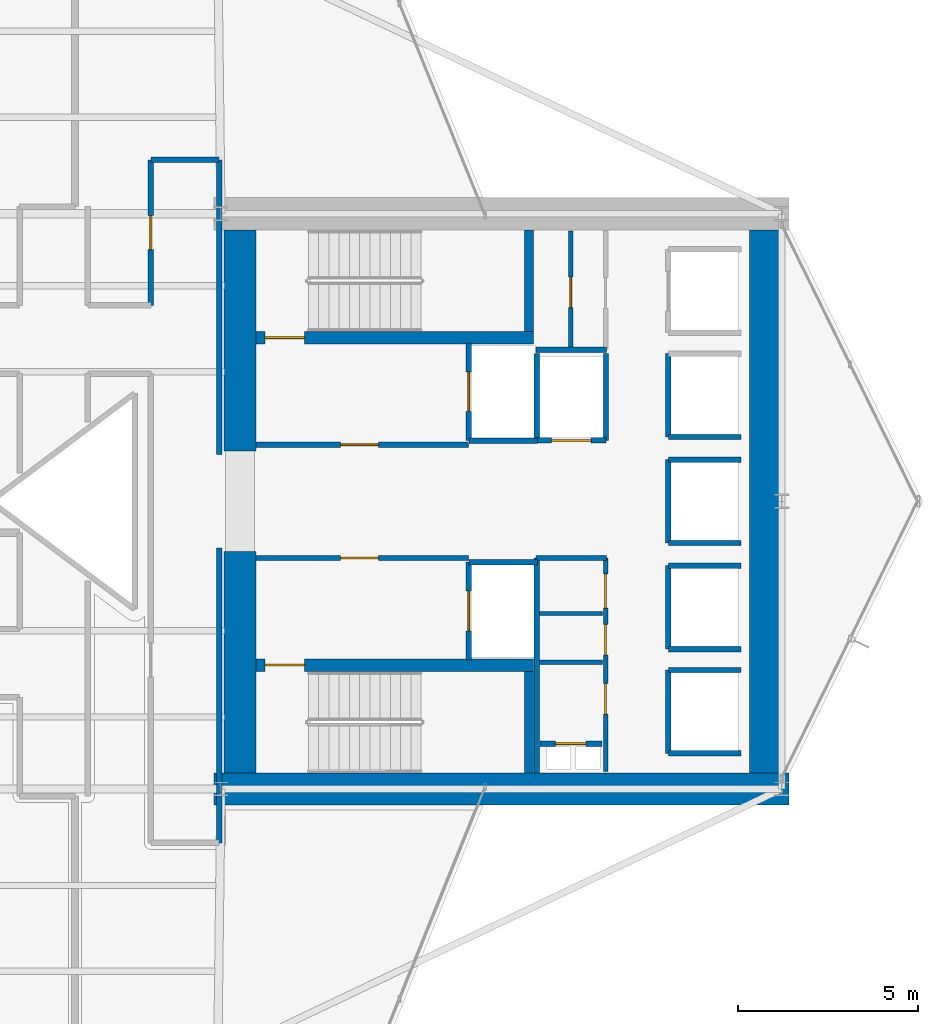
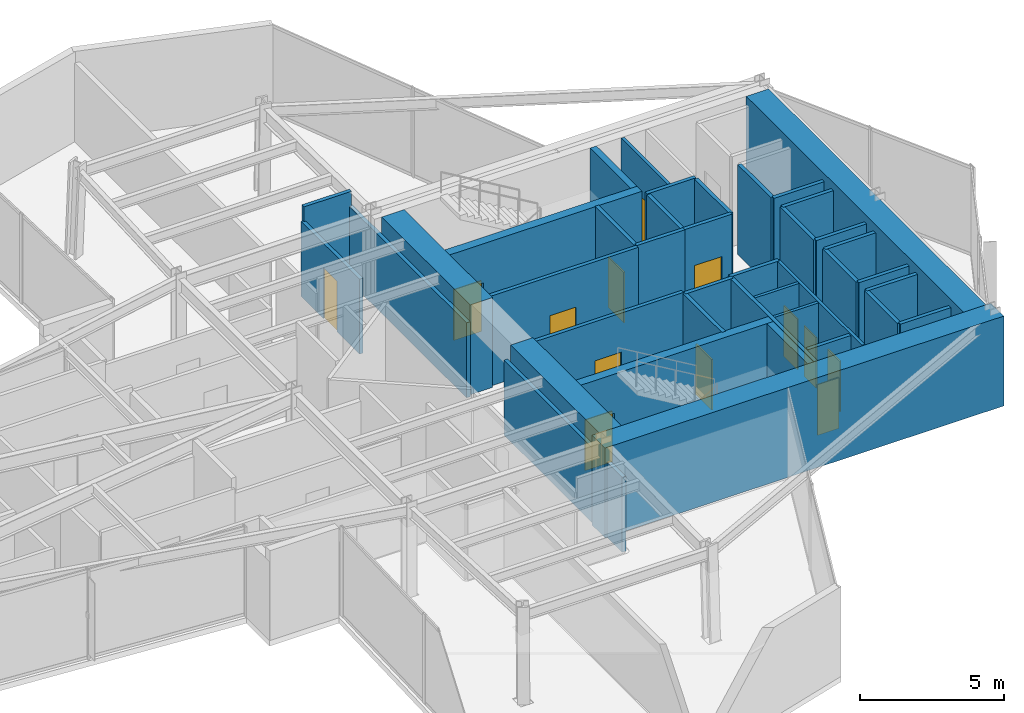
# One storey, part 28 of 31: 40 walls, 13 doors, 13 openings.
"""IFC4 building model written with IfcOpenShell, lengths in metres."""

from ifc_helpers import new_model, si_unit, direction, frame, frame_2d, origin, place, context, subcontext, project, spatial, rectangle, extrude, material, layer, layer_set, type_object, element, fill, save


model = new_model("IFC4")

# Units and contexts
model_context = context("Model", 3, precision=1e-05, world=origin(), true_north=direction((0.0, 1.0)))
body_context = subcontext(model_context, "Body", "Model", "MODEL_VIEW")
ifc_project = project(units=[si_unit("LENGTHUNIT", "METRE"), si_unit("AREAUNIT", "SQUARE_METRE"), si_unit("VOLUMEUNIT", "CUBIC_METRE"), si_unit("PLANEANGLEUNIT", "RADIAN"), si_unit("MASSUNIT", "GRAM", prefix="KILO")], contexts=[model_context])

# Site, building, storey
site_placement = place(None, origin())
site = spatial("IfcSite", under=ifc_project, at=site_placement, CompositionType="ELEMENT")
building_placement = place(site_placement, origin())
building = spatial("IfcBuilding", under=site, at=building_placement, Name="Veymaron Broadcast Tower", CompositionType="ELEMENT")
storey_placement = place(building_placement, frame((0.0, 0.0, 70.199951171875)))
storey = spatial("IfcBuildingStorey", under=building, at=storey_placement, Name="L15", CompositionType="ELEMENT", Elevation=70.199951171875)

# Wall, opening, door
ifc_material_1 = material(Name="Gypsum fireboard and steel stud framing", Category="steel")
ifc_layer_1 = layer(ifc_material_1, 0.14990234375)
ifc_layer_set_1 = layer_set([ifc_layer_1], Name="Gypsum fireboard and steel stud framing")
wall_type_1 = type_object("IfcWallType", Name="WALL-FIRE-150", PredefinedType="PARTITIONING", material=ifc_layer_set_1)
wall_1_placement = place(storey_placement, frame((39.97998046875, 25.574951171875, 0.0), z_axis=(0.0, 0.0, 1.0), x_axis=(1.0, 0.0, 0.0)))
wall_1 = element("IfcWall", 1, at=wall_1_placement, inside=storey, type_object=wall_type_1, Name="L15 partition IW-L15-FFLN-S", PredefinedType="PARTITIONING", context=body_context, shape_type="SweptSolid", body=[
    extrude(rectangle(XDim=5.89990234375, YDim=0.14990234375, at=frame_2d((2.949951171875, 0.0))), origin(), (0.0, 0.0, 1.0), 3.81005859375),
])
opening_1_placement = place(wall_1_placement, frame((2.35009765625, 0.0, 0.0)))
opening_1 = element("IfcOpeningElement", 2, at=opening_1_placement, cuts=wall_1, Name="Opening ID-FL1", PredefinedType="OPENING", context=body_context, shape_type="SweptSolid", body=[
    extrude(rectangle(XDim=1.050048828125, YDim=2.14990234375, at=frame_2d((0.52490234375, 1.074951171875))), frame((0.0, 0.0849609375, 0.0), z_axis=(0.0, -1.0, 0.0), x_axis=(1.0, 0.0, 0.0)), (0.0, 0.0, 1.0), 0.169921875),
])
ifc_material_2 = material(Name="Fire-rated painted hollow steel ASTM A653", Category="steel")
door_type_1 = type_object("IfcDoorType", Name="DOOR-FIRE-1050", OperationType="NOTDEFINED", PredefinedType="DOOR", material=ifc_material_2)
door_1_placement = place(opening_1_placement, origin())
door_1 = element("IfcDoor", 3, at=door_1_placement, inside=storey, type_object=door_type_1, Name="L15 door DR-L15-FFLN", OperationType="SINGLE_SWING_LEFT", OverallHeight=2.14990234375, OverallWidth=1.050048828125, PredefinedType="DOOR", context=body_context, shape_type="SweptSolid", body=[
    extrude(rectangle(XDim=1.050048828125, YDim=2.14990234375, at=frame_2d((0.52490234375, 1.074951171875))), frame((0.0, 0.02490234375, 0.0), z_axis=(0.0, -1.0, 0.0), x_axis=(1.0, 0.0, 0.0)), (0.0, 0.0, 1.0), 0.050048828125),
])
fill(opening_1, door_1)

wall_2_placement = place(storey_placement, frame((39.97998046875, 22.425048828125, 0.0), z_axis=(0.0, 0.0, 1.0), x_axis=(1.0, 0.0, 0.0)))
wall_2 = element("IfcWall", 4, at=wall_2_placement, inside=storey, type_object=wall_type_1, Name="L15 partition IW-L15-FFLS-N", PredefinedType="PARTITIONING", context=body_context, shape_type="SweptSolid", body=[
    extrude(rectangle(XDim=5.89990234375, YDim=0.14990234375, at=frame_2d((2.949951171875, 0.0))), origin(), (0.0, 0.0, 1.0), 3.81005859375),
])
opening_2_placement = place(wall_2_placement, frame((2.35009765625, 0.0, 0.0)))
opening_2 = element("IfcOpeningElement", 5, at=opening_2_placement, cuts=wall_2, Name="Opening ID-FL1", PredefinedType="OPENING", context=body_context, shape_type="SweptSolid", body=[
    extrude(rectangle(XDim=1.050048828125, YDim=2.14990234375, at=frame_2d((0.52490234375, 1.074951171875))), frame((0.0, 0.0849609375, 0.0), z_axis=(0.0, -1.0, 0.0), x_axis=(1.0, 0.0, 0.0)), (0.0, 0.0, 1.0), 0.169921875),
])
door_2_placement = place(opening_2_placement, frame((1.050048828125, 0.0, 0.0), z_axis=(0.0, 0.0, 1.0), x_axis=(-1.0, 0.0, 0.0)))
door_2 = element("IfcDoor", 6, at=door_2_placement, inside=storey, type_object=door_type_1, Name="L15 door DR-L15-FFLS", OperationType="SINGLE_SWING_RIGHT", OverallHeight=2.14990234375, OverallWidth=1.050048828125, PredefinedType="DOOR", context=body_context, shape_type="SweptSolid", body=[
    extrude(rectangle(XDim=1.050048828125, YDim=2.14990234375, at=frame_2d((0.52490234375, 1.074951171875))), frame((0.0, 0.02490234375, 0.0), z_axis=(0.0, -1.0, 0.0), x_axis=(1.0, 0.0, 0.0)), (0.0, 0.0, 1.0), 0.050048828125),
])
fill(opening_2, door_2)

wall_3_placement = place(storey_placement, frame((45.89501953125, 25.68994140625, 0.0), z_axis=(0.0, 0.0, 1.0), x_axis=(0.0, 1.0, 0.0)))
wall_3 = element("IfcWall", 7, at=wall_3_placement, inside=storey, type_object=wall_type_1, Name="L15 partition IW-L15-SHW-FFL-1", PredefinedType="PARTITIONING", context=body_context, shape_type="SweptSolid", body=[
    extrude(rectangle(XDim=2.719970703125, YDim=0.14990234375, at=frame_2d((1.35986328125, 0.0))), origin(), (0.0, 0.0, 1.0), 3.81005859375),
])
opening_3_placement = place(wall_3_placement, frame((0.81005859375, 0.0, 0.0)))
opening_3 = element("IfcOpeningElement", 8, at=opening_3_placement, cuts=wall_3, Name="Opening LD", PredefinedType="OPENING", context=body_context, shape_type="SweptSolid", body=[
    extrude(rectangle(XDim=1.10009765625, YDim=2.14990234375, at=frame_2d((0.550048828125, 1.074951171875))), frame((0.0, 0.0849609375, 0.0), z_axis=(0.0, -1.0, 0.0), x_axis=(1.0, 0.0, 0.0)), (0.0, 0.0, 1.0), 0.169921875),
])
ifc_material_3 = material(Name="Brushed stainless steel AISI 304", Category="steel")
door_type_2 = type_object("IfcDoorType", Name="DOOR-LIFT-1100", OperationType="DOUBLE_DOOR_SLIDING", PredefinedType="DOOR", material=ifc_material_3)
door_3_placement = place(opening_3_placement, frame((1.10009765625, 0.0, 0.0), z_axis=(0.0, 0.0, 1.0), x_axis=(-1.0, 0.0, 0.0)))
door_3 = element("IfcDoor", 9, at=door_3_placement, inside=storey, type_object=door_type_2, Name="L15 door LD-L15-FFL-1", OperationType="DOUBLE_DOOR_SLIDING", OverallHeight=2.14990234375, OverallWidth=1.10009765625, PredefinedType="DOOR", context=body_context, shape_type="SweptSolid", body=[
    extrude(rectangle(XDim=1.10009765625, YDim=2.14990234375, at=frame_2d((0.550048828125, 1.074951171875))), frame((0.0, 0.02490234375, 0.0), z_axis=(0.0, -1.0, 0.0), x_axis=(1.0, 0.0, 0.0)), (0.0, 0.0, 1.0), 0.050048828125),
])
fill(opening_3, door_3)

# Wall
wall_4_placement = place(storey_placement, frame((45.89501953125, 25.68994140625, 0.0), z_axis=(0.0, 0.0, 1.0), x_axis=(1.0, 0.0, 0.0)))
element("IfcWall", 10, at=wall_4_placement, inside=storey, type_object=wall_type_1, Name="L15 partition IW-L15-SHS-FFL-1", PredefinedType="PARTITIONING", context=body_context, shape_type="SweptSolid", body=[
    extrude(rectangle(XDim=1.9150390625, YDim=0.14990234375, at=frame_2d((0.95751953125, 0.0))), origin(), (0.0, 0.0, 1.0), 3.81005859375),
])

# Wall, opening, door
wall_5_placement = place(storey_placement, frame((45.89501953125, 19.590087890625, 0.0), z_axis=(0.0, 0.0, 1.0), x_axis=(0.0, 1.0, 0.0)))
wall_5 = element("IfcWall", 11, at=wall_5_placement, inside=storey, type_object=wall_type_1, Name="L15 partition IW-L15-SHW-FFL-2", PredefinedType="PARTITIONING", context=body_context, shape_type="SweptSolid", body=[
    extrude(rectangle(XDim=2.719970703125, YDim=0.14990234375, at=frame_2d((1.35986328125, 0.0))), origin(), (0.0, 0.0, 1.0), 3.81005859375),
])
opening_4_placement = place(wall_5_placement, frame((0.81005859375, 0.0, 0.0)))
opening_4 = element("IfcOpeningElement", 12, at=opening_4_placement, cuts=wall_5, Name="Opening LD", PredefinedType="OPENING", context=body_context, shape_type="SweptSolid", body=[
    extrude(rectangle(XDim=1.10009765625, YDim=2.14990234375, at=frame_2d((0.550048828125, 1.074951171875))), frame((0.0, 0.0849609375, 0.0), z_axis=(0.0, -1.0, 0.0), x_axis=(1.0, 0.0, 0.0)), (0.0, 0.0, 1.0), 0.169921875),
])
door_4_placement = place(opening_4_placement, frame((1.10009765625, 0.0, 0.0), z_axis=(0.0, 0.0, 1.0), x_axis=(-1.0, 0.0, 0.0)))
door_4 = element("IfcDoor", 13, at=door_4_placement, inside=storey, type_object=door_type_2, Name="L15 door LD-L15-FFL-2", OperationType="DOUBLE_DOOR_SLIDING", OverallHeight=2.14990234375, OverallWidth=1.10009765625, PredefinedType="DOOR", context=body_context, shape_type="SweptSolid", body=[
    extrude(rectangle(XDim=1.10009765625, YDim=2.14990234375, at=frame_2d((0.550048828125, 1.074951171875))), frame((0.0, 0.02490234375, 0.0), z_axis=(0.0, -1.0, 0.0), x_axis=(1.0, 0.0, 0.0)), (0.0, 0.0, 1.0), 0.050048828125),
])
fill(opening_4, door_4)

# Wall
wall_6_placement = place(storey_placement, frame((45.89501953125, 22.31005859375, 0.0), z_axis=(0.0, 0.0, 1.0), x_axis=(1.0, 0.0, 0.0)))
element("IfcWall", 14, at=wall_6_placement, inside=storey, type_object=wall_type_1, Name="L15 partition IW-L15-SHN-FFL-2", PredefinedType="PARTITIONING", context=body_context, shape_type="SweptSolid", body=[
    extrude(rectangle(XDim=1.9150390625, YDim=0.14990234375, at=frame_2d((0.95751953125, 0.0))), origin(), (0.0, 0.0, 1.0), 3.81005859375),
])

# Wall, opening, door
wall_7_placement = place(storey_placement, frame((47.7900390625, 25.695068359375, 0.0), z_axis=(0.0, 0.0, 1.0), x_axis=(1.0, 0.0, 0.0)))
wall_7 = element("IfcWall", 15, at=wall_7_placement, inside=storey, type_object=wall_type_1, Name="L15 partition IW-L15-SHS-SL-1", PredefinedType="PARTITIONING", context=body_context, shape_type="SweptSolid", body=[
    extrude(rectangle(XDim=1.919921875, YDim=0.14990234375, at=frame_2d((0.9599609375, 0.0))), origin(), (0.0, 0.0, 1.0), 3.81005859375),
])
opening_5_placement = place(wall_7_placement, frame((0.409912109375, 0.0, 0.0)))
opening_5 = element("IfcOpeningElement", 16, at=opening_5_placement, cuts=wall_7, Name="Opening LD", PredefinedType="OPENING", context=body_context, shape_type="SweptSolid", body=[
    extrude(rectangle(XDim=1.10009765625, YDim=2.14990234375, at=frame_2d((0.550048828125, 1.074951171875))), frame((0.0, 0.0849609375, 0.0), z_axis=(0.0, -1.0, 0.0), x_axis=(1.0, 0.0, 0.0)), (0.0, 0.0, 1.0), 0.169921875),
])
door_5_placement = place(opening_5_placement, frame((1.10009765625, 0.0, 0.0), z_axis=(0.0, 0.0, 1.0), x_axis=(-1.0, 0.0, 0.0)))
door_5 = element("IfcDoor", 17, at=door_5_placement, inside=storey, type_object=door_type_2, Name="L15 door LD-L15-SL-1", OperationType="DOUBLE_DOOR_SLIDING", OverallHeight=2.14990234375, OverallWidth=1.10009765625, PredefinedType="DOOR", context=body_context, shape_type="SweptSolid", body=[
    extrude(rectangle(XDim=1.10009765625, YDim=2.14990234375, at=frame_2d((0.550048828125, 1.074951171875))), frame((0.0, 0.02490234375, 0.0), z_axis=(0.0, -1.0, 0.0), x_axis=(1.0, 0.0, 0.0)), (0.0, 0.0, 1.0), 0.050048828125),
])
fill(opening_5, door_5)

# Walls
for number, where, z_axis, x_axis, name in (
    (18, (47.7900390625, 25.695068359375, 0.0), (0.0, 0.0, 1.0), (0.0, 1.0, 0.0), "L15 partition IW-L15-SHW-SL-1"),
    (19, (49.7099609375, 25.695068359375, 0.0), (0.0, 0.0, 1.0), (0.0, 1.0, 0.0), "L15 partition IW-L15-SHE-SL-1"),
):
    element("IfcWall", number, at=place(storey_placement, frame(where, z_axis=z_axis, x_axis=x_axis)), inside=storey, type_object=wall_type_1, Name=name, PredefinedType="PARTITIONING", context=body_context, shape_type="SweptSolid", body=[
        extrude(rectangle(XDim=2.4150390625, YDim=0.14990234375, at=frame_2d((1.20751953125, 0.0))), origin(), (0.0, 0.0, 1.0), 3.81005859375),
    ])
wall_8_placement = place(storey_placement, frame((51.445068359375, 25.7900390625, 0.0), z_axis=(0.0, 0.0, 1.0), x_axis=(0.0, 1.0, 0.0)))
element("IfcWall", 20, at=wall_8_placement, inside=storey, type_object=wall_type_1, Name="L15 partition IW-L15-SHW-PM1", PredefinedType="PARTITIONING", context=body_context, shape_type="SweptSolid", body=[
    extrude(rectangle(XDim=2.320068359375, YDim=0.14990234375, at=frame_2d((1.16015625, 0.0))), origin(), (0.0, 0.0, 1.0), 3.81005859375),
])
wall_9_placement = place(storey_placement, frame((51.445068359375, 25.7900390625, 0.0), z_axis=(0.0, 0.0, 1.0), x_axis=(1.0, 0.0, 0.0)))
element("IfcWall", 21, at=wall_9_placement, inside=storey, type_object=wall_type_1, Name="L15 partition IW-L15-SHS-PM1", PredefinedType="PARTITIONING", context=body_context, shape_type="SweptSolid", body=[
    extrude(rectangle(XDim=2.014892578125, YDim=0.14990234375, at=frame_2d((1.00732421875, 0.0))), origin(), (0.0, 0.0, 1.0), 3.81005859375),
])
wall_10_placement = place(storey_placement, frame((51.445068359375, 19.889892578125, 0.0), z_axis=(0.0, 0.0, 1.0), x_axis=(0.0, 1.0, 0.0)))
element("IfcWall", 22, at=wall_10_placement, inside=storey, type_object=wall_type_1, Name="L15 partition IW-L15-SHW-PM2", PredefinedType="PARTITIONING", context=body_context, shape_type="SweptSolid", body=[
    extrude(rectangle(XDim=2.320068359375, YDim=0.14990234375, at=frame_2d((1.16015625, 0.0))), origin(), (0.0, 0.0, 1.0), 3.81005859375),
])
for number, where, z_axis, x_axis, name in (
    (23, (51.445068359375, 19.889892578125, 0.0), (0.0, 0.0, 1.0), (1.0, 0.0, 0.0), "L15 partition IW-L15-SHS-PM2"),
    (24, (51.445068359375, 22.2099609375, 0.0), (0.0, 0.0, 1.0), (1.0, 0.0, 0.0), "L15 partition IW-L15-SHN-PM2"),
):
    element("IfcWall", number, at=place(storey_placement, frame(where, z_axis=z_axis, x_axis=x_axis)), inside=storey, type_object=wall_type_1, Name=name, PredefinedType="PARTITIONING", context=body_context, shape_type="SweptSolid", body=[
        extrude(rectangle(XDim=2.014892578125, YDim=0.14990234375, at=frame_2d((1.00732421875, 0.0))), origin(), (0.0, 0.0, 1.0), 3.81005859375),
    ])
wall_11_placement = place(storey_placement, frame((51.445068359375, 22.840087890625, 0.0), z_axis=(0.0, 0.0, 1.0), x_axis=(0.0, 1.0, 0.0)))
element("IfcWall", 25, at=wall_11_placement, inside=storey, type_object=wall_type_1, Name="L15 partition IW-L15-SHW-PM3", PredefinedType="PARTITIONING", context=body_context, shape_type="SweptSolid", body=[
    extrude(rectangle(XDim=2.31982421875, YDim=0.14990234375, at=frame_2d((1.159912109375, 0.0))), origin(), (0.0, 0.0, 1.0), 3.81005859375),
])
for number, where, z_axis, x_axis, name in (
    (26, (51.445068359375, 22.840087890625, 0.0), (0.0, 0.0, 1.0), (1.0, 0.0, 0.0), "L15 partition IW-L15-SHS-PM3"),
    (27, (51.445068359375, 25.159912109375, 0.0), (0.0, 0.0, 1.0), (1.0, 0.0, 0.0), "L15 partition IW-L15-SHN-PM3"),
):
    element("IfcWall", number, at=place(storey_placement, frame(where, z_axis=z_axis, x_axis=x_axis)), inside=storey, type_object=wall_type_1, Name=name, PredefinedType="PARTITIONING", context=body_context, shape_type="SweptSolid", body=[
        extrude(rectangle(XDim=2.014892578125, YDim=0.14990234375, at=frame_2d((1.00732421875, 0.0))), origin(), (0.0, 0.0, 1.0), 3.81005859375),
    ])
wall_12_placement = place(storey_placement, frame((51.445068359375, 16.989990234375, 0.0), z_axis=(0.0, 0.0, 1.0), x_axis=(0.0, 1.0, 0.0)))
element("IfcWall", 28, at=wall_12_placement, inside=storey, type_object=wall_type_1, Name="L15 partition IW-L15-SHW-PH1", PredefinedType="PARTITIONING", context=body_context, shape_type="SweptSolid", body=[
    extrude(rectangle(XDim=2.320068359375, YDim=0.14990234375, at=frame_2d((1.16015625, 0.0))), origin(), (0.0, 0.0, 1.0), 3.81005859375),
])
for number, where, z_axis, x_axis, name in (
    (29, (51.445068359375, 16.989990234375, 0.0), (0.0, 0.0, 1.0), (1.0, 0.0, 0.0), "L15 partition IW-L15-SHS-PH1"),
    (30, (51.445068359375, 19.31005859375, 0.0), (0.0, 0.0, 1.0), (1.0, 0.0, 0.0), "L15 partition IW-L15-SHN-PH1"),
):
    element("IfcWall", number, at=place(storey_placement, frame(where, z_axis=z_axis, x_axis=x_axis)), inside=storey, type_object=wall_type_1, Name=name, PredefinedType="PARTITIONING", context=body_context, shape_type="SweptSolid", body=[
        extrude(rectangle(XDim=2.014892578125, YDim=0.14990234375, at=frame_2d((1.00732421875, 0.0))), origin(), (0.0, 0.0, 1.0), 3.81005859375),
    ])

# Wall, opening, door
wall_13_placement = place(storey_placement, frame((47.8798828125, 17.260009765625, 0.0), z_axis=(0.0, 0.0, 1.0), x_axis=(1.0, 0.0, 0.0)))
wall_13 = element("IfcWall", 31, at=wall_13_placement, inside=storey, type_object=wall_type_1, Name="L15 partition IW-L15-RIS-N", PredefinedType="PARTITIONING", context=body_context, shape_type="SweptSolid", body=[
    extrude(rectangle(XDim=1.72021484375, YDim=0.14990234375, at=frame_2d((0.860107421875, 0.0))), origin(), (0.0, 0.0, 1.0), 3.81005859375),
])
opening_6_placement = place(wall_13_placement, frame((0.419921875, 0.0, 0.0)))
opening_6 = element("IfcOpeningElement", 32, at=opening_6_placement, cuts=wall_13, Name="Opening ID-RS1", PredefinedType="OPENING", context=body_context, shape_type="SweptSolid", body=[
    extrude(rectangle(XDim=0.85009765625, YDim=2.14990234375, at=frame_2d((0.425048828125, 1.074951171875))), frame((0.0, 0.0849609375, 0.0), z_axis=(0.0, -1.0, 0.0), x_axis=(1.0, 0.0, 0.0)), (0.0, 0.0, 1.0), 0.169921875),
])
ifc_material_4 = material(Name="Fire-rated powder-coated steel riser leaf", Category="steel")
door_type_3 = type_object("IfcDoorType", Name="DOOR-RIS-850", OperationType="NOTDEFINED", PredefinedType="TRAPDOOR", material=ifc_material_4)
door_6_placement = place(opening_6_placement, origin())
door_6 = element("IfcDoor", 33, at=door_6_placement, inside=storey, type_object=door_type_3, Name="L15 door DR-L15-RIS", OperationType="SINGLE_SWING_LEFT", OverallHeight=2.14990234375, OverallWidth=0.85009765625, PredefinedType="TRAPDOOR", context=body_context, shape_type="SweptSolid", body=[
    extrude(rectangle(XDim=0.85009765625, YDim=2.14990234375, at=frame_2d((0.425048828125, 1.074951171875))), frame((0.0, 0.02490234375, 0.0), z_axis=(0.0, -1.0, 0.0), x_axis=(1.0, 0.0, 0.0)), (0.0, 0.0, 1.0), 0.050048828125),
])
fill(opening_6, door_6)

# Walls
wall_14_placement = place(storey_placement, frame((47.760009765625, 22.425048828125, 0.0), z_axis=(0.0, 0.0, 1.0), x_axis=(1.0, 0.0, 0.0)))
element("IfcWall", 34, at=wall_14_placement, inside=storey, type_object=wall_type_1, Name="L15 partition IW-L15-SM-N", PredefinedType="PARTITIONING", context=body_context, shape_type="SweptSolid", body=[
    extrude(rectangle(XDim=1.9599609375, YDim=0.14990234375, at=frame_2d((0.97998046875, 0.0))), origin(), (0.0, 0.0, 1.0), 3.81005859375),
])
wall_15_placement = place(storey_placement, frame((47.780029296875, 16.449951171875, 0.0), z_axis=(0.0, 0.0, 1.0), x_axis=(0.0, 1.0, 0.0)))
element("IfcWall", 35, at=wall_15_placement, inside=storey, type_object=wall_type_1, Name="L15 partition IW-L15-SM-W", PredefinedType="PARTITIONING", context=body_context, shape_type="SweptSolid", body=[
    extrude(rectangle(XDim=5.97509765625, YDim=0.14990234375, at=frame_2d((2.987548828125, 0.0))), origin(), (0.0, 0.0, 1.0), 3.81005859375),
])
wall_16_placement = place(storey_placement, frame((47.760009765625, 28.219970703125, 0.0), z_axis=(0.0, 0.0, 1.0), x_axis=(1.0, 0.0, 0.0)))
element("IfcWall", 36, at=wall_16_placement, inside=storey, type_object=wall_type_1, Name="L15 partition IW-L15-NM-S", PredefinedType="PARTITIONING", context=body_context, shape_type="SweptSolid", body=[
    extrude(rectangle(XDim=1.9599609375, YDim=0.14990234375, at=frame_2d((0.97998046875, 0.0))), origin(), (0.0, 0.0, 1.0), 3.81005859375),
])

# Wall, opening, door
wall_17_placement = place(storey_placement, frame((37.050048828125, 29.449951171875, 0.0), z_axis=(0.0, 0.0, 1.0), x_axis=(0.0, 1.0, 0.0)))
wall_17 = element("IfcWall", 37, at=wall_17_placement, inside=storey, type_object=wall_type_1, Name="L15 partition IW-L15-P30", PredefinedType="PARTITIONING", context=body_context, shape_type="SweptSolid", body=[
    extrude(rectangle(XDim=4.050048828125, YDim=0.14990234375, at=frame_2d((2.02490234375, 0.0))), origin(), (0.0, 0.0, 1.0), 3.18115234375),
])
opening_7_placement = place(wall_17_placement, frame((1.550048828125, 0.0, 0.0)))
opening_7 = element("IfcOpeningElement", 38, at=opening_7_placement, cuts=wall_17, Name="Opening ID-RM1", PredefinedType="OPENING", context=body_context, shape_type="SweptSolid", body=[
    extrude(rectangle(XDim=0.949951171875, YDim=2.14990234375, at=frame_2d((0.47509765625, 1.074951171875))), frame((0.0, 0.0849609375, 0.0), z_axis=(0.0, -1.0, 0.0), x_axis=(1.0, 0.0, 0.0)), (0.0, 0.0, 1.0), 0.169921875),
])
ifc_material_5 = material(Name="Acoustic solid-core European oak veneer timber", Category="wood")
door_type_4 = type_object("IfcDoorType", Name="DOOR-INT-950", OperationType="NOTDEFINED", PredefinedType="DOOR", material=ifc_material_5)
door_7_placement = place(opening_7_placement, origin())
door_7 = element("IfcDoor", 39, at=door_7_placement, inside=storey, type_object=door_type_4, Name="L15 door DR-L15-P30", OperationType="SINGLE_SWING_LEFT", OverallHeight=2.14990234375, OverallWidth=0.949951171875, PredefinedType="DOOR", context=body_context, shape_type="SweptSolid", body=[
    extrude(rectangle(XDim=0.949951171875, YDim=2.14990234375, at=frame_2d((0.47509765625, 1.074951171875))), frame((0.0, 0.02490234375, 0.0), z_axis=(0.0, -1.0, 0.0), x_axis=(1.0, 0.0, 0.0)), (0.0, 0.0, 1.0), 0.050048828125),
])
fill(opening_7, door_7)

# Walls
for number, where, z_axis, x_axis, name in (
    (40, (38.949951171875, 14.5, 0.0), (0.0, 0.0, 1.0), (0.0, 1.0, 0.0), "L15 partition IW-L15-P05"),
    (41, (38.949951171875, 25.300048828125, 0.0), (0.0, 0.0, 1.0), (0.0, 1.0, 0.0), "L15 partition IW-L15-P29"),
):
    element("IfcWall", number, at=place(storey_placement, frame(where, z_axis=z_axis, x_axis=x_axis)), inside=storey, type_object=wall_type_1, Name=name, PredefinedType="PARTITIONING", context=body_context, shape_type="SweptSolid", body=[
        extrude(rectangle(XDim=8.199951171875, YDim=0.14990234375, at=frame_2d((4.10009765625, 0.0))), origin(), (0.0, 0.0, 1.0), 3.18115234375),
    ])
wall_18_placement = place(storey_placement, frame((37.050048828125, 33.5, 0.0), z_axis=(0.0, 0.0, 1.0), x_axis=(1.0, 0.0, 0.0)))
element("IfcWall", 42, at=wall_18_placement, inside=storey, type_object=wall_type_1, Name="L15 partition IW-L15-P32", PredefinedType="PARTITIONING", context=body_context, shape_type="SweptSolid", body=[
    extrude(rectangle(XDim=1.89990234375, YDim=0.14990234375, at=frame_2d((0.949951171875, 0.0))), origin(), (0.0, 0.0, 1.0), 3.81005859375),
])
ifc_material_6 = material(Name="Acoustic gypsum board and galvanized stud", Category="gypsum")
ifc_layer_2 = layer(ifc_material_6, 0.1201171875)
ifc_layer_set_2 = layer_set([ifc_layer_2], Name="Acoustic gypsum board and galvanized stud")
wall_type_2 = type_object("IfcWallType", Name="WALL-PART-120", PredefinedType="PARTITIONING", material=ifc_layer_set_2)
for number, where, z_axis, x_axis, name in (
    (43, (47.860107421875, 19.52001953125, 0.0), (0.0, 0.0, 1.0), (1.0, 0.0, 0.0), "L15 partition IW-L15-SM-D1"),
    (44, (47.860107421875, 20.8798828125, 0.0), (0.0, 0.0, 1.0), (1.0, 0.0, 0.0), "L15 partition IW-L15-SM-D2"),
):
    element("IfcWall", number, at=place(storey_placement, frame(where, z_axis=z_axis, x_axis=x_axis)), inside=storey, type_object=wall_type_2, Name=name, PredefinedType="PARTITIONING", context=body_context, shape_type="SweptSolid", body=[
        extrude(rectangle(XDim=1.760009765625, YDim=0.1201171875, at=frame_2d((0.8798828125, 0.0))), origin(), (0.0, 0.0, 1.0), 3.81005859375),
    ])

# Wall, openings, doors
wall_19_placement = place(storey_placement, frame((49.699951171875, 16.47998046875, 0.0), z_axis=(0.0, 0.0, 1.0), x_axis=(0.0, 1.0, 0.0)))
wall_19 = element("IfcWall", 45, at=wall_19_placement, inside=storey, type_object=wall_type_2, Name="L15 partition IW-L15-SM-E", PredefinedType="PARTITIONING", context=body_context, shape_type="SweptSolid", body=[
    extrude(rectangle(XDim=5.945068359375, YDim=0.1201171875, at=frame_2d((2.97265625, 0.0))), origin(), (0.0, 0.0, 1.0), 3.81005859375),
])
opening_8_placement = place(wall_19_placement, frame((1.60009765625, 0.0, 0.0)))
opening_8 = element("IfcOpeningElement", 46, at=opening_8_placement, cuts=wall_19, Name="Opening ID-WC1", PredefinedType="OPENING", context=body_context, shape_type="SweptSolid", body=[
    extrude(rectangle(XDim=0.85009765625, YDim=2.14990234375, at=frame_2d((0.425048828125, 1.074951171875))), frame((0.0, 0.070068359375, 0.0), z_axis=(0.0, -1.0, 0.0), x_axis=(1.0, 0.0, 0.0)), (0.0, 0.0, 1.0), 0.14013671875),
])
opening_9_placement = place(wall_19_placement, frame((3.25, 0.0, 0.0)))
opening_9 = element("IfcOpeningElement", 47, at=opening_9_placement, cuts=wall_19, Name="Opening ID-WC1", PredefinedType="OPENING", context=body_context, shape_type="SweptSolid", body=[
    extrude(rectangle(XDim=0.85009765625, YDim=2.14990234375, at=frame_2d((0.425048828125, 1.074951171875))), frame((0.0, 0.070068359375, 0.0), z_axis=(0.0, -1.0, 0.0), x_axis=(1.0, 0.0, 0.0)), (0.0, 0.0, 1.0), 0.14013671875),
])
opening_10_placement = place(wall_19_placement, frame((4.550048828125, 0.0, 0.0)))
opening_10 = element("IfcOpeningElement", 48, at=opening_10_placement, cuts=wall_19, Name="Opening ID-RM1", PredefinedType="OPENING", context=body_context, shape_type="SweptSolid", body=[
    extrude(rectangle(XDim=0.949951171875, YDim=2.14990234375, at=frame_2d((0.47509765625, 1.074951171875))), frame((0.0, 0.070068359375, 0.0), z_axis=(0.0, -1.0, 0.0), x_axis=(1.0, 0.0, 0.0)), (0.0, 0.0, 1.0), 0.14013671875),
])
ifc_material_7 = material(Name="Moisture-resistant high-pressure laminate timber", Category="wood")
door_type_5 = type_object("IfcDoorType", Name="DOOR-INT-850", OperationType="NOTDEFINED", PredefinedType="DOOR", material=ifc_material_7)
door_8_placement = place(opening_8_placement, frame((0.85009765625, 0.0, 0.0), z_axis=(0.0, 0.0, 1.0), x_axis=(-1.0, 0.0, 0.0)))
door_8 = element("IfcDoor", 49, at=door_8_placement, inside=storey, type_object=door_type_5, Name="L15 door DR-L15-JST", OperationType="SINGLE_SWING_LEFT", OverallHeight=2.14990234375, OverallWidth=0.85009765625, PredefinedType="DOOR", context=body_context, shape_type="SweptSolid", body=[
    extrude(rectangle(XDim=0.85009765625, YDim=2.14990234375, at=frame_2d((0.425048828125, 1.074951171875))), frame((0.0, 0.02490234375, 0.0), z_axis=(0.0, -1.0, 0.0), x_axis=(1.0, 0.0, 0.0)), (0.0, 0.0, 1.0), 0.050048828125),
])
fill(opening_8, door_8)
door_9_placement = place(opening_9_placement, frame((0.85009765625, 0.0, 0.0), z_axis=(0.0, 0.0, 1.0), x_axis=(-1.0, 0.0, 0.0)))
door_9 = element("IfcDoor", 50, at=door_9_placement, inside=storey, type_object=door_type_5, Name="L15 door DR-L15-SWC", OperationType="SINGLE_SWING_RIGHT", OverallHeight=2.14990234375, OverallWidth=0.85009765625, PredefinedType="DOOR", context=body_context, shape_type="SweptSolid", body=[
    extrude(rectangle(XDim=0.85009765625, YDim=2.14990234375, at=frame_2d((0.425048828125, 1.074951171875))), frame((0.0, 0.02490234375, 0.0), z_axis=(0.0, -1.0, 0.0), x_axis=(1.0, 0.0, 0.0)), (0.0, 0.0, 1.0), 0.050048828125),
])
fill(opening_9, door_9)
door_10_placement = place(opening_10_placement, frame((0.949951171875, 0.0, 0.0), z_axis=(0.0, 0.0, 1.0), x_axis=(-1.0, 0.0, 0.0)))
door_10 = element("IfcDoor", 51, at=door_10_placement, inside=storey, type_object=door_type_4, Name="L15 door DR-L15-AWC", OperationType="SINGLE_SWING_LEFT", OverallHeight=2.14990234375, OverallWidth=0.949951171875, PredefinedType="DOOR", context=body_context, shape_type="SweptSolid", body=[
    extrude(rectangle(XDim=0.949951171875, YDim=2.14990234375, at=frame_2d((0.47509765625, 1.074951171875))), frame((0.0, 0.02490234375, 0.0), z_axis=(0.0, -1.0, 0.0), x_axis=(1.0, 0.0, 0.0)), (0.0, 0.0, 1.0), 0.050048828125),
])
fill(opening_10, door_10)

# Wall, opening, door
wall_20_placement = place(storey_placement, frame((48.72998046875, 28.239990234375, 0.0), z_axis=(0.0, 0.0, 1.0), x_axis=(0.0, 1.0, 0.0)))
wall_20 = element("IfcWall", 52, at=wall_20_placement, inside=storey, type_object=wall_type_2, Name="L15 partition IW-L15-NM-VX", PredefinedType="PARTITIONING", context=body_context, shape_type="SweptSolid", body=[
    extrude(rectangle(XDim=3.280029296875, YDim=0.1201171875, at=frame_2d((1.64013671875, 0.0))), origin(), (0.0, 0.0, 1.0), 3.81005859375),
])
opening_11_placement = place(wall_20_placement, frame((1.14990234375, 0.0, 0.0)))
opening_11 = element("IfcOpeningElement", 53, at=opening_11_placement, cuts=wall_20, Name="Opening ID-WC1", PredefinedType="OPENING", context=body_context, shape_type="SweptSolid", body=[
    extrude(rectangle(XDim=0.85009765625, YDim=2.14990234375, at=frame_2d((0.425048828125, 1.074951171875))), frame((0.0, 0.070068359375, 0.0), z_axis=(0.0, -1.0, 0.0), x_axis=(1.0, 0.0, 0.0)), (0.0, 0.0, 1.0), 0.14013671875),
])
door_11_placement = place(opening_11_placement, frame((0.85009765625, 0.0, 0.0), z_axis=(0.0, 0.0, 1.0), x_axis=(-1.0, 0.0, 0.0)))
door_11 = element("IfcDoor", 54, at=door_11_placement, inside=storey, type_object=door_type_5, Name="L15 door DR-L15-NMB", OperationType="SINGLE_SWING_LEFT", OverallHeight=2.14990234375, OverallWidth=0.85009765625, PredefinedType="DOOR", context=body_context, shape_type="SweptSolid", body=[
    extrude(rectangle(XDim=0.85009765625, YDim=2.14990234375, at=frame_2d((0.425048828125, 1.074951171875))), frame((0.0, 0.02490234375, 0.0), z_axis=(0.0, -1.0, 0.0), x_axis=(1.0, 0.0, 0.0)), (0.0, 0.0, 1.0), 0.050048828125),
])
fill(opening_11, door_11)

# Walls
ifc_material_8 = material(Name="Concrete C50/60", Category="concrete")
ifc_layer_3 = layer(ifc_material_8, 0.25)
ifc_layer_set_3 = layer_set([ifc_layer_3], Name="Concrete C50/60")
wall_type_3 = type_object("IfcWallType", Name="WALL-SHEAR-250", PredefinedType="SHEAR", material=ifc_layer_set_3)
for number, where, z_axis, x_axis, name in (
    (55, (47.56494140625, 28.72998046875, 0.0), (0.0, 0.0, 1.0), (0.0, 1.0, 0.0), "L15 Core Wall north stair east shear"),
    (56, (47.56494140625, 16.449951171875, 0.0), (0.0, 0.0, 1.0), (0.0, 1.0, 0.0), "L15 Core Wall south stair east shear"),
):
    element("IfcWall", number, at=place(storey_placement, frame(where, z_axis=z_axis, x_axis=x_axis)), inside=storey, type_object=wall_type_3, Name=name, PredefinedType="SHEAR", context=body_context, shape_type="SweptSolid", body=[
        extrude(rectangle(XDim=2.820068359375, YDim=0.25, at=frame_2d((1.41015625, 0.0))), origin(), (0.0, 0.0, 1.0), 3.81005859375),
    ])

# Wall, opening, door
ifc_layer_4 = layer(ifc_material_8, 0.35009765625)
ifc_layer_set_4 = layer_set([ifc_layer_4], Name="Concrete C50/60")
wall_type_4 = type_object("IfcWallType", Name="WALL-SHEAR-350", PredefinedType="SHEAR", material=ifc_layer_set_4)
wall_21_placement = place(storey_placement, frame((39.97998046875, 28.554931640625, 0.0), z_axis=(0.0, 0.0, 1.0), x_axis=(1.0, 0.0, 0.0)))
wall_21 = element("IfcWall", 57, at=wall_21_placement, inside=storey, type_object=wall_type_4, Name="L15 Core Wall north stair spine", PredefinedType="SHEAR", context=body_context, shape_type="SweptSolid", body=[
    extrude(rectangle(XDim=7.7099609375, YDim=0.35009765625, at=frame_2d((3.85498046875, 0.0))), origin(), (0.0, 0.0, 1.0), 3.81005859375),
])
opening_12_placement = place(wall_21_placement, frame((0.25, 0.0, 0.0)))
opening_12 = element("IfcOpeningElement", 58, at=opening_12_placement, cuts=wall_21, Name="Opening ID-ST1", PredefinedType="OPENING", context=body_context, shape_type="SweptSolid", body=[
    extrude(rectangle(XDim=1.10009765625, YDim=2.14990234375, at=frame_2d((0.550048828125, 1.074951171875))), frame((0.0, 0.18505859375, 0.0), z_axis=(0.0, -1.0, 0.0), x_axis=(1.0, 0.0, 0.0)), (0.0, 0.0, 1.0), 0.3701171875),
])
door_type_6 = type_object("IfcDoorType", Name="DOOR-STAIR-1100", OperationType="NOTDEFINED", PredefinedType="DOOR", material=ifc_material_2)
door_12_placement = place(opening_12_placement, origin())
door_12 = element("IfcDoor", 59, at=door_12_placement, inside=storey, type_object=door_type_6, Name="L15 exit stair ST1 fire door", OperationType="SINGLE_SWING_RIGHT", OverallHeight=2.14990234375, OverallWidth=1.10009765625, PredefinedType="DOOR", context=body_context, shape_type="SweptSolid", body=[
    extrude(rectangle(XDim=1.10009765625, YDim=2.14990234375, at=frame_2d((0.550048828125, 1.074951171875))), frame((0.0, 0.02490234375, 0.0), z_axis=(0.0, -1.0, 0.0), x_axis=(1.0, 0.0, 0.0)), (0.0, 0.0, 1.0), 0.050048828125),
])
fill(opening_12, door_12)

wall_22_placement = place(storey_placement, frame((39.97998046875, 19.445068359375, 0.0), z_axis=(0.0, 0.0, 1.0), x_axis=(1.0, 0.0, 0.0)))
wall_22 = element("IfcWall", 60, at=wall_22_placement, inside=storey, type_object=wall_type_4, Name="L15 Core Wall south stair spine", PredefinedType="SHEAR", context=body_context, shape_type="SweptSolid", body=[
    extrude(rectangle(XDim=7.7099609375, YDim=0.35009765625, at=frame_2d((3.85498046875, 0.0))), origin(), (0.0, 0.0, 1.0), 3.81005859375),
])
opening_13_placement = place(wall_22_placement, frame((0.25, 0.0, 0.0)))
opening_13 = element("IfcOpeningElement", 61, at=opening_13_placement, cuts=wall_22, Name="Opening ID-ST1", PredefinedType="OPENING", context=body_context, shape_type="SweptSolid", body=[
    extrude(rectangle(XDim=1.10009765625, YDim=2.14990234375, at=frame_2d((0.550048828125, 1.074951171875))), frame((0.0, 0.18505859375, 0.0), z_axis=(0.0, -1.0, 0.0), x_axis=(1.0, 0.0, 0.0)), (0.0, 0.0, 1.0), 0.3701171875),
])
door_13_placement = place(opening_13_placement, frame((1.10009765625, 0.0, 0.0), z_axis=(0.0, 0.0, 1.0), x_axis=(-1.0, 0.0, 0.0)))
door_13 = element("IfcDoor", 62, at=door_13_placement, inside=storey, type_object=door_type_6, Name="L15 exit stair ST2 fire door", OperationType="SINGLE_SWING_LEFT", OverallHeight=2.14990234375, OverallWidth=1.10009765625, PredefinedType="DOOR", context=body_context, shape_type="SweptSolid", body=[
    extrude(rectangle(XDim=1.10009765625, YDim=2.14990234375, at=frame_2d((0.550048828125, 1.074951171875))), frame((0.0, 0.02490234375, 0.0), z_axis=(0.0, -1.0, 0.0), x_axis=(1.0, 0.0, 0.0)), (0.0, 0.0, 1.0), 0.050048828125),
])
fill(opening_13, door_13)

# Walls
ifc_material_9 = material(Name="Concrete C70/85", Category="concrete")
ifc_layer_5 = layer(ifc_material_9, 0.89990234375)
ifc_layer_set_5 = layer_set([ifc_layer_5], Name="Concrete C70/85")
wall_type_5 = type_object("IfcWallType", Name="WALL-SHEAR-900", PredefinedType="SHEAR", material=ifc_layer_set_5)
wall_23_placement = place(storey_placement, frame((38.800048828125, 16.0, 0.0), z_axis=(0.0, 0.0, 1.0), x_axis=(1.0, 0.0, 0.0)))
element("IfcWall", 63, at=wall_23_placement, inside=storey, type_object=wall_type_5, Name="L15 Core Wall south shear", PredefinedType="SHEAR", context=body_context, shape_type="SweptSolid", body=[
    extrude(rectangle(XDim=16.0, YDim=0.89990234375, at=frame_2d((8.0, 0.0))), origin(), (0.0, 0.0, 1.0), 3.81005859375),
])
for number, where, z_axis, x_axis, name in (
    (64, (39.530029296875, 16.449951171875, 0.0), (0.0, 0.0, 1.0), (0.0, 1.0, 0.0), "L15 Core Wall west-south shear"),
    (65, (39.530029296875, 25.39990234375, 0.0), (0.0, 0.0, 1.0), (0.0, 1.0, 0.0), "L15 Core Wall west-north shear"),
):
    element("IfcWall", number, at=place(storey_placement, frame(where, z_axis=z_axis, x_axis=x_axis)), inside=storey, type_object=wall_type_5, Name=name, PredefinedType="SHEAR", context=body_context, shape_type="SweptSolid", body=[
        extrude(rectangle(XDim=6.150146484375, YDim=0.89990234375, at=frame_2d((3.0751953125, 0.0))), origin(), (0.0, 0.0, 1.0), 3.81005859375),
    ])
wall_24_placement = place(storey_placement, frame((54.14990234375, 16.449951171875, 0.0), z_axis=(0.0, 0.0, 1.0), x_axis=(0.0, 1.0, 0.0)))
element("IfcWall", 66, at=wall_24_placement, inside=storey, type_object=wall_type_5, Name="L15 Core Wall east shear", PredefinedType="SHEAR", context=body_context, shape_type="SweptSolid", body=[
    extrude(rectangle(XDim=15.10009765625, YDim=0.89990234375, at=frame_2d((7.550048828125, 0.0))), origin(), (0.0, 0.0, 1.0), 3.81005859375),
])

save(model, "model.ifc")
